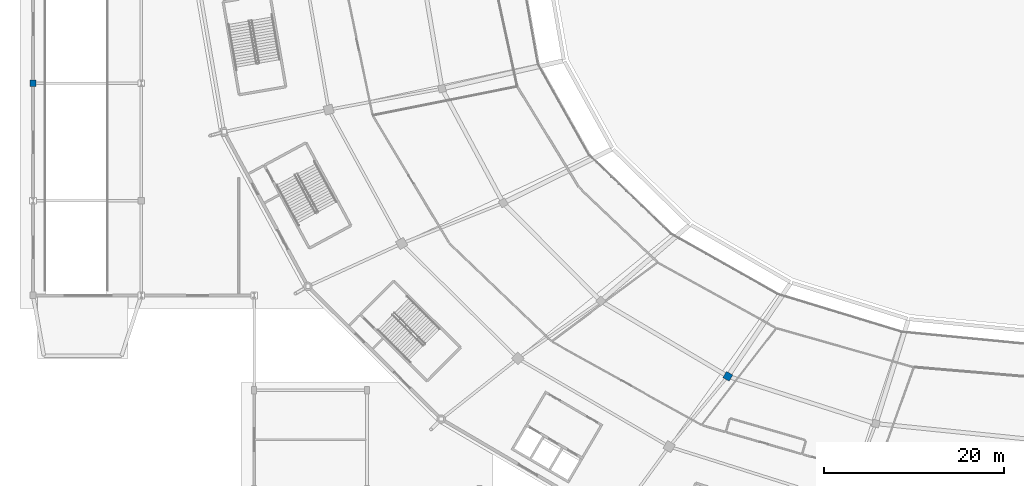
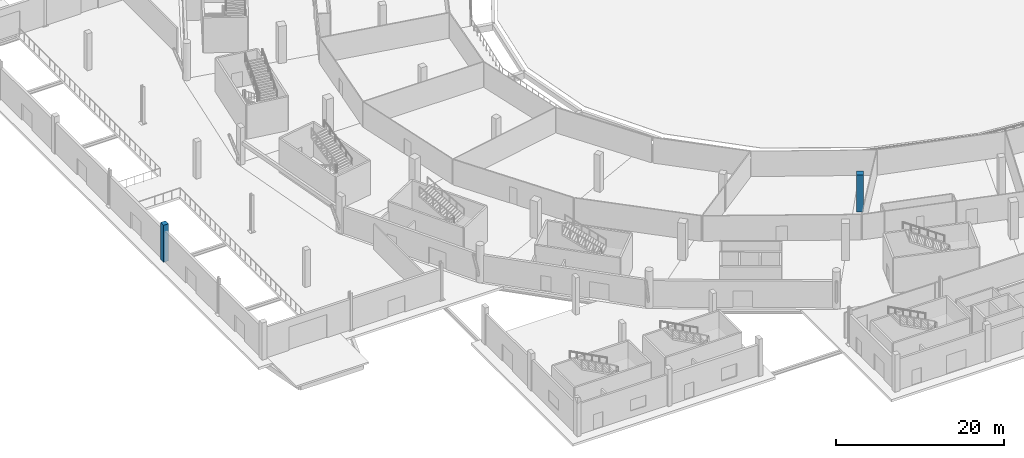
# One storey, part 6 of 82: 2 columns.
"""IFC4 building model written with IfcOpenShell, lengths in metres."""

from ifc_helpers import new_model, si_unit, direction, frame, origin, origin_2d, place, context, subcontext, project, spatial, rectangle, extrude, material, material_profile, profile_set, type_object, element, save


model = new_model("IFC4")

# Units and contexts
model_context = context("Model", 3, precision=1e-05, world=origin(), true_north=direction((0.0, 1.0)))
body_context = subcontext(model_context, "Body", "Model", "MODEL_VIEW")
ifc_project = project(units=[si_unit("LENGTHUNIT", "METRE"), si_unit("AREAUNIT", "SQUARE_METRE"), si_unit("VOLUMEUNIT", "CUBIC_METRE"), si_unit("PLANEANGLEUNIT", "RADIAN"), si_unit("MASSUNIT", "GRAM", prefix="KILO")], contexts=[model_context])

# Site, building, storey
site_placement = place(None, origin())
site = spatial("IfcSite", under=ifc_project, at=site_placement, CompositionType="ELEMENT")
building_placement = place(site_placement, origin())
building = spatial("IfcBuilding", under=site, at=building_placement, Name="Zlatoyarsky Gate Stadium", CompositionType="ELEMENT")
storey_placement = place(building_placement, origin())
storey = spatial("IfcBuildingStorey", under=building, at=storey_placement, Name="L00", CompositionType="ELEMENT", Elevation=0.0)

# Columns
ifc_material = material(Name="Concrete C40/50", Category="concrete")
ifc_material_profile_1 = material_profile(ifc_material, rectangle(XDim=0.699951171875, YDim=0.699951171875, at=origin_2d()), Name="RC COL 700X700")
ifc_profile_set_1 = profile_set([ifc_material_profile_1], Name="Concrete C40/50")
column_type_1 = type_object("IfcColumnType", Name="CONCRETE COLUMN 700X700", PredefinedType="COLUMN", material=ifc_profile_set_1)
column_1_placement = place(storey_placement, frame((0.0, 67.0, 0.0), z_axis=(0.0, 0.0, 1.0), x_axis=(1.0, 0.0, 0.0)))
element("IfcColumn", 1, at=column_1_placement, inside=storey, type_object=column_type_1, Name="Column RC-C70 WG-1-G on L00", PredefinedType="COLUMN", context=body_context, shape_type="SweptSolid", body=[
    extrude(rectangle(XDim=0.699951171875, YDim=0.699951171875, at=origin_2d()), origin(), (0.0, 0.0, 1.0), 5.39990234375),
])
ifc_material_profile_2 = material_profile(ifc_material, rectangle(XDim=0.800048828125, YDim=0.800048828125, at=origin_2d()), Name="RC COL 800X800")
ifc_profile_set_2 = profile_set([ifc_material_profile_2], Name="Concrete C40/50")
column_type_2 = type_object("IfcColumnType", Name="CONCRETE COLUMN 800X800", PredefinedType="COLUMN", material=ifc_profile_set_2)
column_2_placement = place(storey_placement, frame((77.0, 34.53369140625, 0.0), z_axis=(0.0, 0.0, 1.0), x_axis=(-0.5, -0.866025403784, 0.0)))
element("IfcColumn", 2, at=column_2_placement, inside=storey, type_object=column_type_2, Name="Column RC-C80 RA-16 on L00", PredefinedType="COLUMN", context=body_context, shape_type="SweptSolid", body=[
    extrude(rectangle(XDim=0.800048828125, YDim=0.800048828125, at=origin_2d()), origin(), (0.0, 0.0, 1.0), 5.39990234375),
])

save(model, "model.ifc")
